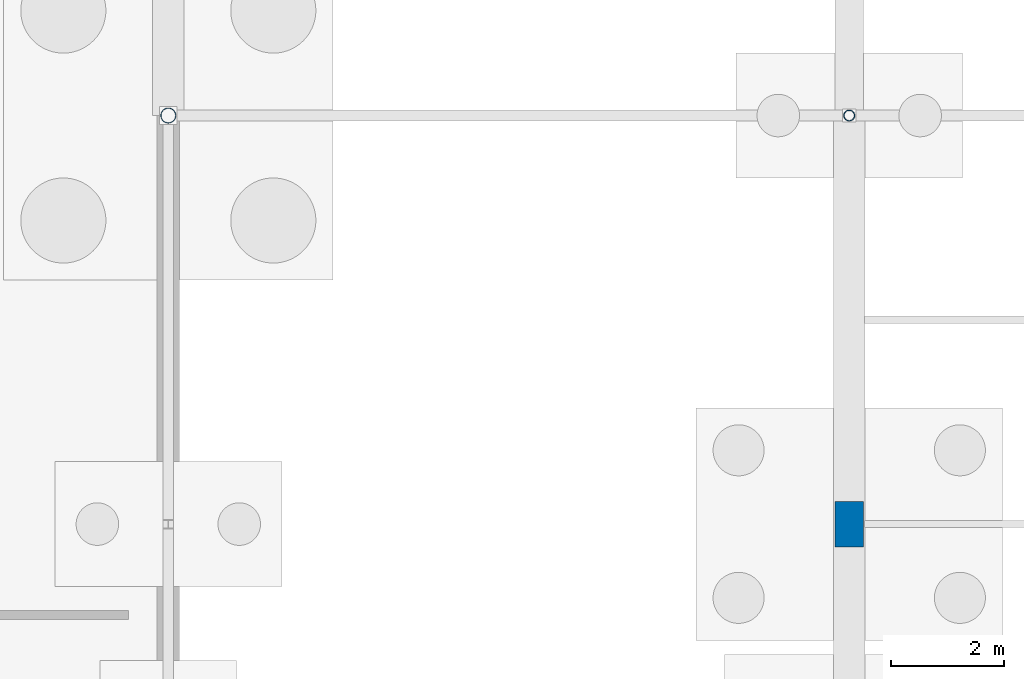
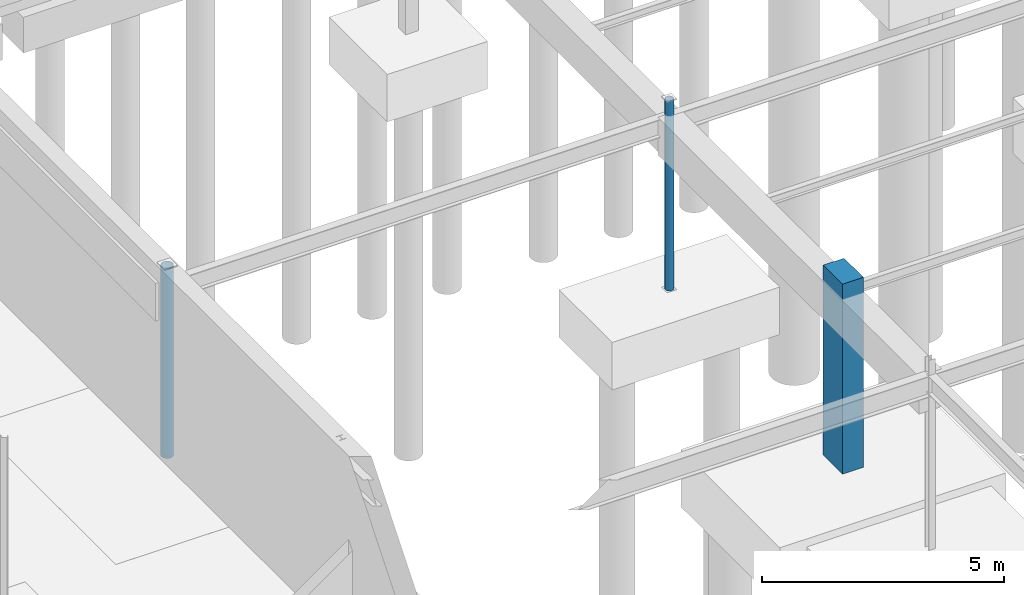
# One storey, part 64 of 136: 3 columns.
"""IFC4 building model written with IfcOpenShell, lengths in metres."""

from ifc_helpers import new_model, si_unit, direction, frame, origin, origin_2d, place, context, subcontext, project, spatial, rectangle, hollow_circle, extrude, material, material_profile, profile_set, type_object, element, save


model = new_model("IFC4")

# Units and contexts
model_context = context("Model", 3, precision=1e-05, world=origin(), true_north=direction((0.0, 1.0)))
body_context = subcontext(model_context, "Body", "Model", "MODEL_VIEW")
ifc_project = project(units=[si_unit("LENGTHUNIT", "METRE"), si_unit("AREAUNIT", "SQUARE_METRE"), si_unit("VOLUMEUNIT", "CUBIC_METRE"), si_unit("PLANEANGLEUNIT", "RADIAN"), si_unit("MASSUNIT", "GRAM", prefix="KILO")], contexts=[model_context])

# Site, building, storey
site_placement = place(None, origin())
site = spatial("IfcSite", under=ifc_project, at=site_placement, CompositionType="ELEMENT")
building_placement = place(site_placement, origin())
building = spatial("IfcBuilding", under=site, at=building_placement, Name="Tarnwether General Hospital", CompositionType="ELEMENT")
storey_placement = place(building_placement, frame((0.0, 0.0, -4.800048828125)))
storey = spatial("IfcBuildingStorey", under=building, at=storey_placement, Name="LG", CompositionType="ELEMENT", Elevation=-4.800048828125)

# Columns
ifc_material_1 = material(Name="Steel Grade C350L0 (350 MPa)", Category="steel")
ifc_material_profile_1 = material_profile(ifc_material_1, hollow_circle(Radius=0.136474609375, WallThickness=0.0126953125, at=origin_2d()), Name="CHS273.1x12.7")
ifc_profile_set_1 = profile_set([ifc_material_profile_1], Name="Steel Grade C350L0 (350 MPa)")
column_type_1 = type_object("IfcColumnType", Name="COL-12", PredefinedType="COLUMN", material=ifc_profile_set_1)
column_1_placement = place(storey_placement, frame((132.0, 115.199951171875, 0.0), z_axis=(0.0, 0.0, 1.0), x_axis=(0.0, 1.0, 0.0)))
element("IfcColumn", 1, at=column_1_placement, inside=storey, type_object=column_type_1, Name="Column COLG-LG-13200_11520", PredefinedType="COLUMN", context=body_context, shape_type="SweptSolid", body=[
    extrude(hollow_circle(Radius=0.136474609375, WallThickness=0.0126953125, at=origin_2d()), origin(), (0.0, 0.0, 1.0), 4.800048828125),
])
ifc_material_2 = material(Name="Concrete 50 MPa", Category="concrete")
ifc_material_profile_2 = material_profile(ifc_material_2, rectangle(XDim=0.5, YDim=0.800048828125, at=origin_2d()), Name="RC-PIL-500x800")
ifc_profile_set_2 = profile_set([ifc_material_profile_2], Name="Concrete 50 MPa")
column_type_2 = type_object("IfcColumnType", Name="COL-23", PredefinedType="PILASTER", material=ifc_profile_set_2)
column_2_placement = place(storey_placement, frame((144.0, 108.0, 0.0), z_axis=(0.0, 0.0, 1.0), x_axis=(1.0, 0.0, 0.0)))
element("IfcColumn", 2, at=column_2_placement, inside=storey, type_object=column_type_2, Name="Column COLG-LG-14400_10800", PredefinedType="PILASTER", context=body_context, shape_type="SweptSolid", body=[
    extrude(rectangle(XDim=0.5, YDim=0.800048828125, at=origin_2d()), origin(), (0.0, 0.0, 1.0), 4.800048828125),
])
ifc_material_3 = material(Name="Steel Grade C350L0 (350 MPa)", Category="steel")
ifc_material_profile_3 = material_profile(ifc_material_3, hollow_circle(Radius=0.096923828125, WallThickness=0.008056640625, at=origin_2d()), Name="CHS193.7x8.0")
ifc_profile_set_3 = profile_set([ifc_material_profile_3], Name="Steel Grade C350L0 (350 MPa)")
column_type_3 = type_object("IfcColumnType", Name="COL-29", PredefinedType="COLUMN", material=ifc_profile_set_3)
column_3_placement = place(storey_placement, frame((144.0, 115.199951171875, 0.0), z_axis=(0.0, 0.0, 1.0), x_axis=(1.0, 0.0, 0.0)))
element("IfcColumn", 3, at=column_3_placement, inside=storey, type_object=column_type_3, Name="Column COLG-LG-14400_11520", PredefinedType="COLUMN", context=body_context, shape_type="SweptSolid", body=[
    extrude(hollow_circle(Radius=0.096923828125, WallThickness=0.008056640625, at=origin_2d()), origin(), (0.0, 0.0, 1.0), 4.800048828125),
])

save(model, "model.ifc")
